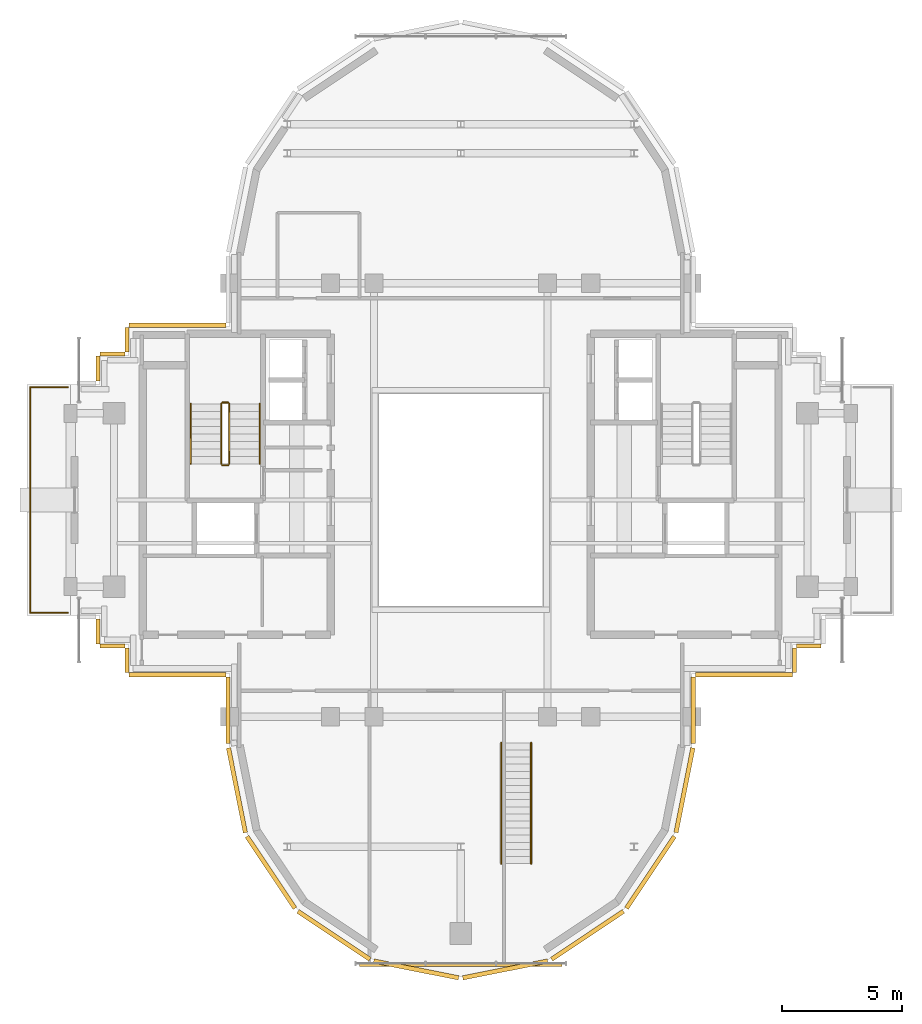
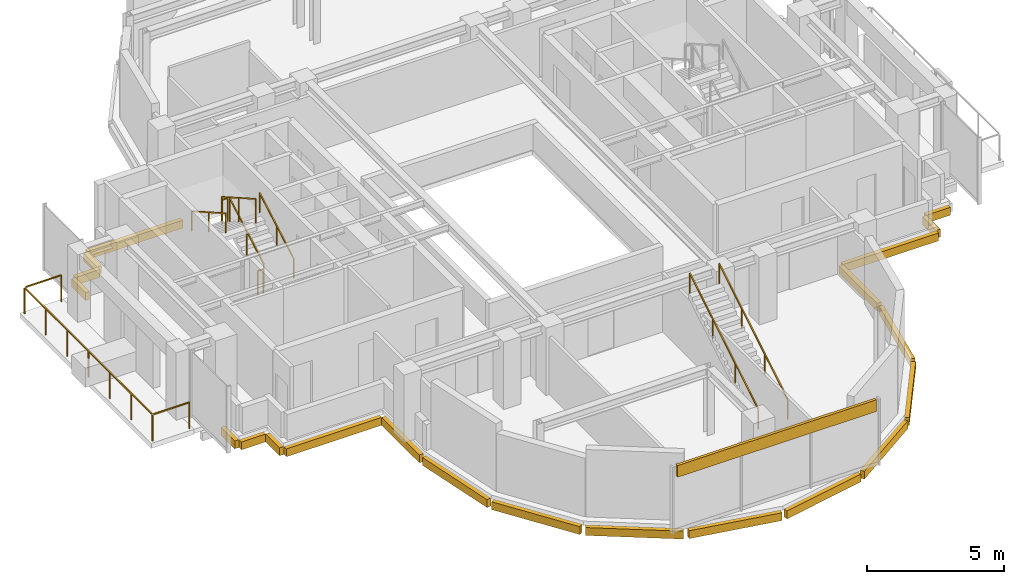
# One storey, part 10 of 12: 22 coverings, 9 railings.
"""IFC4 building model written with IfcOpenShell, lengths in metres."""

from ifc_helpers import new_model, si_unit, direction, frame, origin, origin_2d, place, context, subcontext, project, spatial, rectangle, extrude, source, transform, mapped, material, layer, layer_set, type_object, element, save


model = new_model("IFC4")

# Units and contexts
model_context = context("Model", 3, precision=1e-05, world=origin(), true_north=direction((0.0, 1.0)))
body_context = subcontext(model_context, "Body", "Model", "MODEL_VIEW")
ifc_project = project(units=[si_unit("LENGTHUNIT", "METRE"), si_unit("AREAUNIT", "SQUARE_METRE"), si_unit("VOLUMEUNIT", "CUBIC_METRE"), si_unit("PLANEANGLEUNIT", "RADIAN"), si_unit("MASSUNIT", "GRAM", prefix="KILO")], contexts=[model_context])

# Site, building, storey
site_placement = place(None, origin())
site = spatial("IfcSite", under=ifc_project, at=site_placement, CompositionType="ELEMENT")
building_placement = place(site_placement, origin())
building = spatial("IfcBuilding", under=site, at=building_placement, Name="Keilestroom Media Tower", CompositionType="ELEMENT")
storey_placement = place(building_placement, frame((0.0, 0.0, 252.39990234375)))
storey = spatial("IfcBuildingStorey", under=building, at=storey_placement, Name="L70", CompositionType="ELEMENT", Elevation=252.39990234375)

# Railings
ifc_material_1 = material(Name="Brushed Stainless Steel 1.4301", Category="steel")
railing_type_1 = type_object("IfcRailingType", Name="Stair-Pitch-Handrail-920", PredefinedType="HANDRAIL", material=ifc_material_1)
railing_1_placement = place(storey_placement, frame((-8.35009765625, 1.5, 0.177978515625)))
element("IfcRailing", 1, at=railing_1_placement, inside=storey, type_object=railing_type_1, Name="L70 ST-1 stair handrail 1", PredefinedType="HANDRAIL", context=body_context, shape_type="SweptSolid", body=[
    extrude(rectangle(XDim=0.048095703125, YDim=0.048095703125, at=origin_2d()), frame((0.0, 0.0, 0.8759765625), z_axis=(0.0, 0.868875238982, 0.495031129408), x_axis=(-1.0, 0.0, 0.0)), (0.0, 0.0, 1.0), 2.872802734375),
    extrude(rectangle(XDim=0.0419921875, YDim=0.0419921875, at=origin_2d()), origin(), (0.0, 0.0, 1.0), 0.84375),
    extrude(rectangle(XDim=0.0419921875, YDim=0.0419921875, at=origin_2d()), frame((0.0, 1.248046875, 0.7109375)), (0.0, 0.0, 1.0), 0.84375),
    extrude(rectangle(XDim=0.0419921875, YDim=0.0419921875, at=origin_2d()), frame((0.0, 2.49609375, 1.422119140625)), (0.0, 0.0, 1.0), 0.84375),
])
railing_2_placement = place(storey_placement, frame((-11.2099609375, 3.99609375, 1.77783203125)))
element("IfcRailing", 2, at=railing_2_placement, inside=storey, type_object=railing_type_1, Name="L70 ST-1 stair handrail 2", PredefinedType="HANDRAIL", context=body_context, shape_type="SweptSolid", body=[
    extrude(rectangle(XDim=0.048095703125, YDim=0.048095703125, at=origin_2d()), frame((0.0, 0.0, 0.8759765625), z_axis=(0.0, -0.868838684858, 0.495095283449), x_axis=(1.0, 0.0, 0.0)), (0.0, 0.0, 1.0), 2.872802734375),
    extrude(rectangle(XDim=0.0419921875, YDim=0.0419921875, at=origin_2d()), origin(), (0.0, 0.0, 1.0), 0.84375),
    extrude(rectangle(XDim=0.0419921875, YDim=0.0419921875, at=origin_2d()), frame((0.0, -1.248046875, 0.711181640625)), (0.0, 0.0, 1.0), 0.84375),
    extrude(rectangle(XDim=0.0419921875, YDim=0.0419921875, at=origin_2d()), frame((0.0, -2.49609375, 1.42236328125)), (0.0, 0.0, 1.0), 0.84375),
])
for number, where, name in (
    (3, (1.679931640625, -15.10009765625, 0.0), "ST-F4 Handrail L"),
    (4, (2.919921875, -15.10009765625, 0.0), "ST-F4 Handrail R"),
):
    element("IfcRailing", number, at=place(storey_placement, frame(where)), inside=storey, type_object=railing_type_1, Name=name, PredefinedType="HANDRAIL", context=body_context, shape_type="SweptSolid", body=[
        extrude(rectangle(XDim=0.048095703125, YDim=0.048095703125, at=origin_2d()), frame((0.0, 0.0, 0.89599609375), z_axis=(0.0, 0.85650169281, 0.51614421455), x_axis=(-1.0, 0.0, 0.0)), (0.0, 0.0, 1.0), 5.85546875),
        extrude(rectangle(XDim=0.0419921875, YDim=0.0419921875, at=origin_2d()), origin(), (0.0, 0.0, 1.0), 0.86376953125),
        extrude(rectangle(XDim=0.0419921875, YDim=0.0419921875, at=origin_2d()), frame((0.0, 1.671630859375, 1.00732421875)), (0.0, 0.0, 1.0), 0.86376953125),
        extrude(rectangle(XDim=0.0419921875, YDim=0.0419921875, at=origin_2d()), frame((0.0, 3.343505859375, 2.014892578125)), (0.0, 0.0, 1.0), 0.86376953125),
        extrude(rectangle(XDim=0.0419921875, YDim=0.0419921875, at=origin_2d()), frame((0.0, 5.01513671875, 3.022216796875)), (0.0, 0.0, 1.0), 0.86376953125),
    ])
ifc_material_2 = material(Name="Painted Steel Balustrade", Category="steel")
railing_type_2 = type_object("IfcRailingType", Name="Stair-Well-And-Landing-Guard-1100", PredefinedType="GUARDRAIL", material=ifc_material_2)
railing_3_placement = place(storey_placement, frame((-9.610107421875, 1.5, 0.177978515625)))
element("IfcRailing", 5, at=railing_3_placement, inside=storey, type_object=railing_type_2, Name="L70 ST-1 stair guard 1", PredefinedType="GUARDRAIL", context=body_context, shape_type="SweptSolid", body=[
    extrude(rectangle(XDim=0.048095703125, YDim=0.048095703125, at=origin_2d()), frame((0.0, 0.0, 1.076171875), z_axis=(0.0, 0.868875238982, 0.495031129408), x_axis=(-1.0, 0.0, 0.0)), (0.0, 0.0, 1.0), 2.872802734375),
    extrude(rectangle(XDim=0.0419921875, YDim=0.0419921875, at=origin_2d()), origin(), (0.0, 0.0, 1.0), 1.0439453125),
    extrude(rectangle(XDim=0.0419921875, YDim=0.0419921875, at=origin_2d()), frame((0.0, 1.248046875, 0.7109375)), (0.0, 0.0, 1.0), 1.0439453125),
    extrude(rectangle(XDim=0.0419921875, YDim=0.0419921875, at=origin_2d()), frame((0.0, 2.49609375, 1.422119140625)), (0.0, 0.0, 1.0), 1.0439453125),
])
railing_4_placement = place(storey_placement, frame((-9.659912109375, 4.0458984375, 1.60009765625)))
element("IfcRailing", 6, at=railing_4_placement, inside=storey, type_object=railing_type_2, Name="L70 ST-1 stair guard 2", PredefinedType="GUARDRAIL", context=body_context, shape_type="SweptSolid", body=[
    extrude(rectangle(XDim=0.048095703125, YDim=0.048095703125, at=origin_2d()), frame((0.0, 0.0, 1.076171875), z_axis=(-1.0, 0.0, 0.0), x_axis=(0.0, -1.0, 0.0)), (0.0, 0.0, 1.0), 0.239990234375),
    extrude(rectangle(XDim=0.0419921875, YDim=0.0419921875, at=origin_2d()), origin(), (0.0, 0.0, 1.0), 1.0439453125),
    extrude(rectangle(XDim=0.0419921875, YDim=0.0419921875, at=origin_2d()), frame((-0.239990234375, 0.0, 0.0)), (0.0, 0.0, 1.0), 1.0439453125),
])
railing_5_placement = place(storey_placement, frame((-9.949951171875, 3.99609375, 1.77783203125)))
element("IfcRailing", 7, at=railing_5_placement, inside=storey, type_object=railing_type_2, Name="L70 ST-1 stair guard 3", PredefinedType="GUARDRAIL", context=body_context, shape_type="SweptSolid", body=[
    extrude(rectangle(XDim=0.048095703125, YDim=0.048095703125, at=origin_2d()), frame((0.0, 0.0, 1.076171875), z_axis=(0.0, -0.868838684858, 0.495095283449), x_axis=(1.0, 0.0, 0.0)), (0.0, 0.0, 1.0), 2.872802734375),
    extrude(rectangle(XDim=0.0419921875, YDim=0.0419921875, at=origin_2d()), origin(), (0.0, 0.0, 1.0), 1.0439453125),
    extrude(rectangle(XDim=0.0419921875, YDim=0.0419921875, at=origin_2d()), frame((0.0, -1.248046875, 0.711181640625)), (0.0, 0.0, 1.0), 1.0439453125),
    extrude(rectangle(XDim=0.0419921875, YDim=0.0419921875, at=origin_2d()), frame((0.0, -2.49609375, 1.42236328125)), (0.0, 0.0, 1.0), 1.0439453125),
])
railing_6_placement = place(storey_placement, frame((-9.659912109375, 1.449951171875, 0.0)))
element("IfcRailing", 8, at=railing_6_placement, inside=storey, type_object=railing_type_2, Name="L70 ST-1 stair guard 4", PredefinedType="GUARDRAIL", context=body_context, shape_type="SweptSolid", body=[
    extrude(rectangle(XDim=0.048095703125, YDim=0.048095703125, at=origin_2d()), frame((0.0, 0.0, 1.076171875), z_axis=(-1.0, 0.0, 0.0), x_axis=(0.0, -1.0, 0.0)), (0.0, 0.0, 1.0), 0.239990234375),
    extrude(rectangle(XDim=0.0419921875, YDim=0.0419921875, at=origin_2d()), origin(), (0.0, 0.0, 1.0), 1.0439453125),
    extrude(rectangle(XDim=0.0419921875, YDim=0.0419921875, at=origin_2d()), frame((-0.239990234375, 0.0, 0.0)), (0.0, 0.0, 1.0), 1.0439453125),
])
ifc_material_3 = material(Name="Laminated Safety Glass & Bronze Aluminium", Category="aluminium")
railing_type_3 = type_object("IfcRailingType", Name="Terrace-And-Atrium-Guard-Balustrade-GD-SKY", PredefinedType="BALUSTRADE", material=ifc_material_3)
railing_7_placement = place(storey_placement, frame((-16.320068359375, -4.679931640625, 0.0)))
element("IfcRailing", 9, at=railing_7_placement, inside=storey, type_object=railing_type_3, Name="L70 Terrace Perimeter Guard CUP70-W", PredefinedType="BALUSTRADE", context=body_context, shape_type="SweptSolid", body=[
    extrude(rectangle(XDim=0.048095703125, YDim=0.048095703125, at=origin_2d()), frame((0.0, 0.0, 1.17578125), z_axis=(-1.0, 0.0, 0.0), x_axis=(0.0, -1.0, 0.0)), (0.0, 0.0, 1.0), 1.51171875),
    extrude(rectangle(XDim=0.048095703125, YDim=0.048095703125, at=origin_2d()), frame((-1.559814453125, 0.048095703125, 1.17578125), z_axis=(0.0, 1.0, 0.0), x_axis=(-1.0, 0.0, 0.0)), (0.0, 0.0, 1.0), 9.263671875),
    extrude(rectangle(XDim=0.048095703125, YDim=0.048095703125, at=origin_2d()), frame((-1.51171875, 9.35986328125, 1.17578125), z_axis=(1.0, 0.0, 0.0), x_axis=(0.0, 1.0, 0.0)), (0.0, 0.0, 1.0), 1.51171875),
    extrude(rectangle(XDim=0.0419921875, YDim=0.0419921875, at=origin_2d()), origin(), (0.0, 0.0, 1.0), 1.143798828125),
    extrude(rectangle(XDim=0.0419921875, YDim=0.0419921875, at=origin_2d()), frame((-1.559814453125, 0.0, 0.0)), (0.0, 0.0, 1.0), 1.143798828125),
    extrude(rectangle(XDim=0.0419921875, YDim=0.0419921875, at=origin_2d()), frame((-1.559814453125, 1.56005859375, 0.0)), (0.0, 0.0, 1.0), 1.143798828125),
    extrude(rectangle(XDim=0.0419921875, YDim=0.0419921875, at=origin_2d()), frame((-1.559814453125, 3.119873046875, 0.0)), (0.0, 0.0, 1.0), 1.143798828125),
    extrude(rectangle(XDim=0.0419921875, YDim=0.0419921875, at=origin_2d()), frame((-1.559814453125, 4.679931640625, 0.0)), (0.0, 0.0, 1.0), 1.143798828125),
    extrude(rectangle(XDim=0.0419921875, YDim=0.0419921875, at=origin_2d()), frame((-1.559814453125, 6.239990234375, 0.0)), (0.0, 0.0, 1.0), 1.143798828125),
    extrude(rectangle(XDim=0.0419921875, YDim=0.0419921875, at=origin_2d()), frame((-1.559814453125, 7.7998046875, 0.0)), (0.0, 0.0, 1.0), 1.143798828125),
    extrude(rectangle(XDim=0.0419921875, YDim=0.0419921875, at=origin_2d()), frame((-1.559814453125, 9.35986328125, 0.0)), (0.0, 0.0, 1.0), 1.143798828125),
    extrude(rectangle(XDim=0.0419921875, YDim=0.0419921875, at=origin_2d()), frame((0.0, 9.35986328125, 0.0)), (0.0, 0.0, 1.0), 1.143798828125),
])

# Coverings
ifc_material_4 = material(Name="Precast concrete C40/50", Category="concrete")
ifc_layer = layer(ifc_material_4, 0.1201171875)
ifc_layer_set = layer_set([ifc_layer], Name="Precast concrete C40/50")
covering_type = type_object("IfcCoveringType", Name="Exterior-Precast-Spandrel-Cladding-Panel-120", PredefinedType="CLADDING", material=ifc_layer_set)
shared_shape_1 = source(origin(), body_context, "Body", "SweptSolid", [
    extrude(rectangle(XDim=8.39990234375, YDim=0.1201171875, at=origin_2d()), origin(), (0.0, 0.0, 1.0), 0.52001953125),
])
covering_placement = place(storey_placement, frame((0.0, -19.320068359375, 2.5), z_axis=(0.0, 0.0, 1.0), x_axis=(1.0, 0.0, 0.0)))
element("IfcCovering", 10, at=covering_placement, inside=storey, type_object=covering_type, Name="L70 Precast Spandrel Cladding S", PredefinedType="CLADDING", context=body_context, shape_type="MappedRepresentation", body=[
    mapped(shared_shape_1, transform((0.0, 0.0, 0.0), x_axis=(1.0, 0.0, 0.0), y_axis=(0.0, 1.0, 0.0), z_axis=(0.0, 0.0, 1.0), scale=1.0)),
])
shared_shape_2 = source(origin(), body_context, "Body", "SweptSolid", [
    extrude(rectangle(XDim=1.02001953125, YDim=0.179931640625, at=origin_2d()), origin(), (0.0, 0.0, 1.0), 0.35009765625),
])
for number, where, z_axis, x_axis, name in (
    (11, (14.4599609375, -6.06005859375, -0.530029296875), (0.0, 0.0, 1.0), (-1.0, 0.0, 0.0), "L70 Precast Slab-Edge Fascia Cornice 03"),
    (12, (13.860107421875, -6.659912109375, -0.530029296875), (0.0, 0.0, 1.0), (0.0, -1.0, 0.0), "L70 Precast Slab-Edge Fascia Cornice 04"),
    (13, (-13.860107421875, -6.659912109375, -0.530029296875), (0.0, 0.0, 1.0), (0.0, 1.0, 0.0), "L70 Precast Slab-Edge Fascia Cornice 17"),
    (14, (-14.4599609375, -6.06005859375, -0.530029296875), (0.0, 0.0, 1.0), (-1.0, 0.0, 0.0), "L70 Precast Slab-Edge Fascia Cornice 18"),
    (15, (-15.06005859375, -5.4599609375, -0.530029296875), (0.0, 0.0, 1.0), (0.0, 1.0, 0.0), "L70 Precast Slab-Edge Fascia Cornice 19"),
    (16, (-15.06005859375, 5.4599609375, -0.530029296875), (0.0, 0.0, 1.0), (0.0, 1.0, 0.0), "L70 Precast Slab-Edge Fascia Cornice 22"),
    (17, (-14.4599609375, 6.06005859375, -0.530029296875), (0.0, 0.0, 1.0), (1.0, 0.0, 0.0), "L70 Precast Slab-Edge Fascia Cornice 23"),
    (18, (-13.860107421875, 6.659912109375, -0.530029296875), (0.0, 0.0, 1.0), (0.0, 1.0, 0.0), "L70 Precast Slab-Edge Fascia Cornice 24"),
):
    element("IfcCovering", number, at=place(storey_placement, frame(where, z_axis=z_axis, x_axis=x_axis)), inside=storey, type_object=covering_type, Name=name, PredefinedType="CLADDING", context=body_context, shape_type="MappedRepresentation", body=[
        mapped(shared_shape_2, transform((0.0, 0.0, 0.0), x_axis=(1.0, 0.0, 0.0), y_axis=(0.0, 1.0, 0.0), z_axis=(0.0, 0.0, 1.0), scale=1.0)),
    ])
shared_shape_3 = source(origin(), body_context, "Body", "SweptSolid", [
    extrude(rectangle(XDim=2.765869140625, YDim=0.179931640625, at=origin_2d()), origin(), (0.0, 0.0, 1.0), 0.35009765625),
])
for number, where, z_axis, x_axis, name in (
    (19, (9.659912109375, -8.73291015625, -0.530029296875), (0.0, 0.0, 1.0), (0.0, -1.0, 0.0), "L70 Precast Slab-Edge Fascia Cornice 06"),
    (20, (-9.659912109375, -8.73291015625, -0.530029296875), (0.0, 0.0, 1.0), (0.0, 1.0, 0.0), "L70 Precast Slab-Edge Fascia Cornice 15"),
):
    element("IfcCovering", number, at=place(storey_placement, frame(where, z_axis=z_axis, x_axis=x_axis)), inside=storey, type_object=covering_type, Name=name, PredefinedType="CLADDING", context=body_context, shape_type="MappedRepresentation", body=[
        mapped(shared_shape_3, transform((0.0, 0.0, 0.0), x_axis=(1.0, 0.0, 0.0), y_axis=(0.0, 1.0, 0.0), z_axis=(0.0, 0.0, 1.0), scale=1.0)),
    ])
shared_shape_4 = source(origin(), body_context, "Body", "SweptSolid", [
    extrude(rectangle(XDim=3.58349609375, YDim=0.179931640625, at=origin_2d()), origin(), (0.0, 0.0, 1.0), 0.35009765625),
])
for number, where, z_axis, x_axis, name in (
    (21, (9.29296875, -12.051513671875, -0.530029296875), (0.0, 0.0, 1.0), (-0.195098880975, -0.980783577882, 0.0), "L70 Precast Slab-Edge Fascia Cornice 07"),
    (22, (-9.29296875, -12.051513671875, -0.530029296875), (0.0, 0.0, 1.0), (-0.195098880975, 0.980783577882, 0.0), "L70 Precast Slab-Edge Fascia Cornice 14"),
):
    element("IfcCovering", number, at=place(storey_placement, frame(where, z_axis=z_axis, x_axis=x_axis)), inside=storey, type_object=covering_type, Name=name, PredefinedType="CLADDING", context=body_context, shape_type="MappedRepresentation", body=[
        mapped(shared_shape_4, transform((0.0, 0.0, 0.0), x_axis=(1.0, 0.0, 0.0), y_axis=(0.0, 1.0, 0.0), z_axis=(0.0, 0.0, 1.0), scale=1.0)),
    ])
shared_shape_5 = source(origin(), body_context, "Body", "SweptSolid", [
    extrude(rectangle(XDim=3.589599609375, YDim=0.179931640625, at=origin_2d()), origin(), (0.0, 0.0, 1.0), 0.35009765625),
])
for number, where, z_axis, x_axis, name in (
    (23, (7.878662109375, -15.46435546875, -0.530029296875), (0.0, 0.0, 1.0), (-0.555574586577, -0.831466703332, 0.0), "L70 Precast Slab-Edge Fascia Cornice 08"),
    (24, (5.264404296875, -18.07861328125, -0.530029296875), (0.0, 0.0, 1.0), (-0.831466703332, -0.555574586577, 0.0), "L70 Precast Slab-Edge Fascia Cornice 09"),
    (25, (1.8486328125, -19.493408203125, -0.530029296875), (0.0, 0.0, 1.0), (-0.980783577882, -0.195098880975, 0.0), "L70 Precast Slab-Edge Fascia Cornice 10"),
    (26, (-1.8486328125, -19.493408203125, -0.530029296875), (0.0, 0.0, 1.0), (-0.980783577882, 0.195098880975, 0.0), "L70 Precast Slab-Edge Fascia Cornice 11"),
    (27, (-5.264404296875, -18.07861328125, -0.530029296875), (0.0, 0.0, 1.0), (-0.831466703332, 0.555574586577, 0.0), "L70 Precast Slab-Edge Fascia Cornice 12"),
    (28, (-7.878662109375, -15.46435546875, -0.530029296875), (0.0, 0.0, 1.0), (-0.555574586577, 0.831466703332, 0.0), "L70 Precast Slab-Edge Fascia Cornice 13"),
):
    element("IfcCovering", number, at=place(storey_placement, frame(where, z_axis=z_axis, x_axis=x_axis)), inside=storey, type_object=covering_type, Name=name, PredefinedType="CLADDING", context=body_context, shape_type="MappedRepresentation", body=[
        mapped(shared_shape_5, transform((0.0, 0.0, 0.0), x_axis=(1.0, 0.0, 0.0), y_axis=(0.0, 1.0, 0.0), z_axis=(0.0, 0.0, 1.0), scale=1.0)),
    ])
shared_shape_6 = source(origin(), body_context, "Body", "SweptSolid", [
    extrude(rectangle(XDim=4.02001953125, YDim=0.179931640625, at=origin_2d()), origin(), (0.0, 0.0, 1.0), 0.35009765625),
])
for number, where, z_axis, x_axis, name in (
    (29, (11.760009765625, -7.260009765625, -0.530029296875), (0.0, 0.0, 1.0), (-1.0, 0.0, 0.0), "L70 Precast Slab-Edge Fascia Cornice 05"),
    (30, (-11.760009765625, -7.260009765625, -0.530029296875), (0.0, 0.0, 1.0), (-1.0, 0.0, 0.0), "L70 Precast Slab-Edge Fascia Cornice 16"),
    (31, (-11.760009765625, 7.260009765625, -0.530029296875), (0.0, 0.0, 1.0), (1.0, 0.0, 0.0), "L70 Precast Slab-Edge Fascia Cornice 25"),
):
    element("IfcCovering", number, at=place(storey_placement, frame(where, z_axis=z_axis, x_axis=x_axis)), inside=storey, type_object=covering_type, Name=name, PredefinedType="CLADDING", context=body_context, shape_type="MappedRepresentation", body=[
        mapped(shared_shape_6, transform((0.0, 0.0, 0.0), x_axis=(1.0, 0.0, 0.0), y_axis=(0.0, 1.0, 0.0), z_axis=(0.0, 0.0, 1.0), scale=1.0)),
    ])

save(model, "model.ifc")
